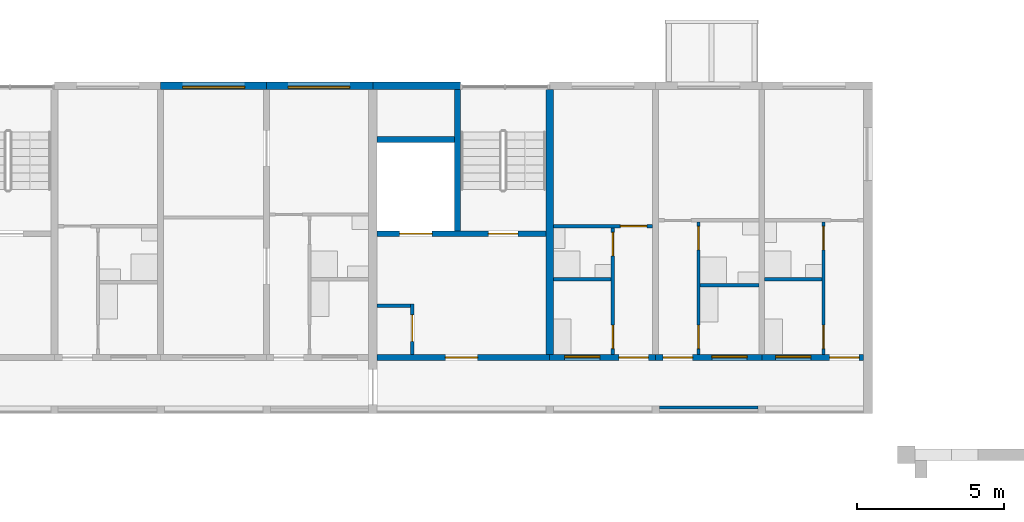
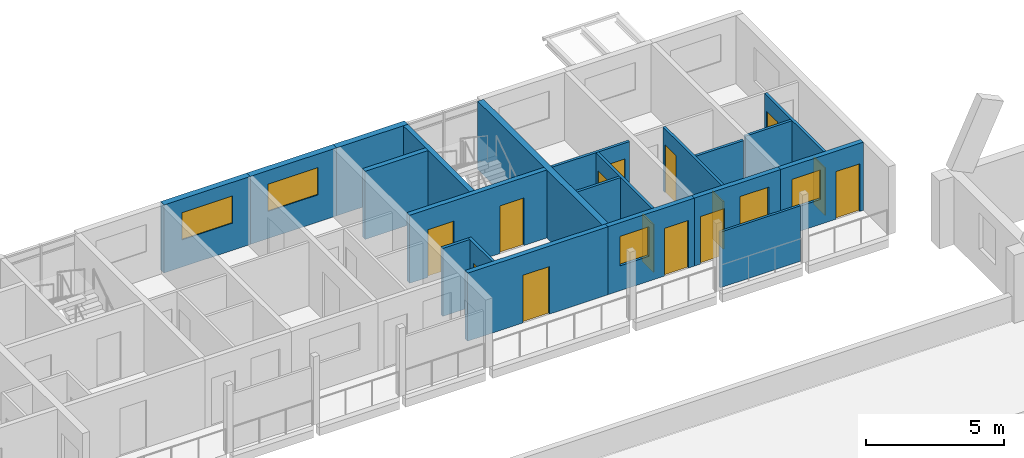
# One storey, part 54 of 115: 21 walls, 14 doors, 5 windows, 19 openings.
"""IFC4 building model written with IfcOpenShell, lengths in metres."""

from ifc_helpers import new_model, si_unit, direction, frame, frame_2d, origin, place, context, subcontext, project, spatial, rectangle, extrude, material, layer, layer_set, type_object, element, fill, save


model = new_model("IFC4")

# Units and contexts
model_context = context("Model", 3, precision=1e-05, world=origin(), true_north=direction((0.0, 1.0)))
body_context = subcontext(model_context, "Body", "Model", "MODEL_VIEW")
ifc_project = project(units=[si_unit("LENGTHUNIT", "METRE"), si_unit("AREAUNIT", "SQUARE_METRE"), si_unit("VOLUMEUNIT", "CUBIC_METRE"), si_unit("PLANEANGLEUNIT", "RADIAN"), si_unit("MASSUNIT", "GRAM", prefix="KILO")], contexts=[model_context])

# Site, building, storey
site_placement = place(None, origin())
site = spatial("IfcSite", under=ifc_project, at=site_placement, CompositionType="ELEMENT")
building_placement = place(site_placement, origin())
building = spatial("IfcBuilding", under=site, at=building_placement, Name="Ridgestep Commons", CompositionType="ELEMENT")
storey_placement = place(building_placement, frame((0.0, 0.0, 6.0)))
storey = spatial("IfcBuildingStorey", under=building, at=storey_placement, Name="L02", CompositionType="ELEMENT", Elevation=6.0)

# Wall
ifc_material_1 = material(Name="Concrete C30/37", Category="concrete")
ifc_layer_1 = layer(ifc_material_1, 0.25)
ifc_layer_set_1 = layer_set([ifc_layer_1], Name="Core cross wall 250")
wall_type_1 = type_object("IfcWallType", Name="Core cross wall 250", PredefinedType="SHEAR", material=ifc_layer_set_1)
wall_1_placement = place(storey_placement, frame((102.0, 68.0, 0.0), z_axis=(0.0, 0.0, 1.0), x_axis=(0.0, 1.0, 0.0)))
element("IfcWall", 1, at=wall_1_placement, inside=storey, type_object=wall_type_1, Name="Cross wall B-02-1020", PredefinedType="SHEAR", context=body_context, shape_type="SweptSolid", body=[
    extrude(rectangle(XDim=9.0, YDim=0.25, at=frame_2d((4.5, 0.0))), origin(), (0.0, 0.0, 1.0), 3.0),
])

# Wall, opening, door
ifc_material_2 = material(Name="Concrete C30/37", Category="concrete")
ifc_layer_2 = layer(ifc_material_2, 0.199951171875)
ifc_layer_set_2 = layer_set([ifc_layer_2], Name="Core south wall 200")
wall_type_2 = type_object("IfcWallType", Name="Core south wall 200", PredefinedType="SHEAR", material=ifc_layer_set_2)
wall_2_placement = place(storey_placement, frame((96.14990234375, 67.89990234375, 0.0), z_axis=(0.0, 0.0, 1.0), x_axis=(1.0, 0.0, 0.0)))
wall_2 = element("IfcWall", 2, at=wall_2_placement, inside=storey, type_object=wall_type_2, Name="Core south wall B6C L02", PredefinedType="SHEAR", context=body_context, shape_type="SweptSolid", body=[
    extrude(rectangle(XDim=5.85009765625, YDim=0.199951171875, at=frame_2d((2.925048828125, 0.0))), origin(), (0.0, 0.0, 1.0), 3.0),
])
opening_1_placement = place(wall_2_placement, frame((2.3125, 0.0, 0.0)))
opening_1 = element("IfcOpeningElement", 3, at=opening_1_placement, cuts=wall_2, Name="Opening B6C/02/1", PredefinedType="OPENING", context=body_context, shape_type="SweptSolid", body=[
    extrude(rectangle(XDim=1.10009765625, YDim=2.10009765625, at=frame_2d((0.550048828125, 1.050048828125))), frame((0.0, 0.10986328125, 0.0), z_axis=(0.0, -1.0, 0.0), x_axis=(1.0, 0.0, 0.0)), (0.0, 0.0, 1.0), 0.219970703125),
])
ifc_material_3 = material(Name="Steel fire door", Category="steel")
door_type_1 = type_object("IfcDoorType", Name="Lobby door 1100 x 2100 FD60", OperationType="NOTDEFINED", PredefinedType="DOOR", material=ifc_material_3)
door_1_placement = place(opening_1_placement, origin())
door_1 = element("IfcDoor", 4, at=door_1_placement, inside=storey, type_object=door_type_1, Name="Lobby door B6C/02/1", OperationType="SINGLE_SWING_LEFT", OverallHeight=2.10009765625, OverallWidth=1.10009765625, PredefinedType="DOOR", context=body_context, shape_type="SweptSolid", body=[
    extrude(rectangle(XDim=1.10009765625, YDim=2.10009765625, at=frame_2d((0.550048828125, 1.050048828125))), frame((0.0, 0.02490234375, 0.0), z_axis=(0.0, -1.0, 0.0), x_axis=(1.0, 0.0, 0.0)), (0.0, 0.0, 1.0), 0.050048828125),
])
fill(opening_1, door_1)

ifc_material_4 = material(Name="Concrete C30/37", Category="concrete")
ifc_layer_3 = layer(ifc_material_4, 0.1201171875)
ifc_layer_set_3 = layer_set([ifc_layer_3], Name="Core wall 120")
wall_type_3 = type_object("IfcWallType", Name="Core wall 120", PredefinedType="SHEAR", material=ifc_layer_set_3)
wall_3_placement = place(storey_placement, frame((97.340087890625, 68.0, 0.0), z_axis=(0.0, 0.0, 1.0), x_axis=(0.0, 1.0, 0.0)))
wall_3 = element("IfcWall", 5, at=wall_3_placement, inside=storey, type_object=wall_type_3, Name="Core riser w wall B6C L02", PredefinedType="SHEAR", context=body_context, shape_type="SweptSolid", body=[
    extrude(rectangle(XDim=1.719970703125, YDim=0.1201171875, at=frame_2d((0.85986328125, 0.0))), origin(), (0.0, 0.0, 1.0), 3.0),
])
opening_2_placement = place(wall_3_placement, frame((0.449951171875, 0.0, 0.0)))
opening_2 = element("IfcOpeningElement", 6, at=opening_2_placement, cuts=wall_3, Name="Opening B6C/02/4", PredefinedType="OPENING", context=body_context, shape_type="SweptSolid", body=[
    extrude(rectangle(XDim=0.89990234375, YDim=2.10009765625, at=frame_2d((0.449951171875, 1.050048828125))), frame((0.0, 0.070068359375, 0.0), z_axis=(0.0, -1.0, 0.0), x_axis=(1.0, 0.0, 0.0)), (0.0, 0.0, 1.0), 0.14013671875),
])
ifc_material_5 = material(Name="Steel fire door", Category="steel")
door_type_2 = type_object("IfcDoorType", Name="Riser door 900 x 2100 FD60", OperationType="NOTDEFINED", PredefinedType="DOOR", material=ifc_material_5)
door_2_placement = place(opening_2_placement, origin())
door_2 = element("IfcDoor", 7, at=door_2_placement, inside=storey, type_object=door_type_2, Name="Riser door B6C/02/4", OperationType="SINGLE_SWING_RIGHT", OverallHeight=2.10009765625, OverallWidth=0.89990234375, PredefinedType="DOOR", context=body_context, shape_type="SweptSolid", body=[
    extrude(rectangle(XDim=0.89990234375, YDim=2.10009765625, at=frame_2d((0.449951171875, 1.050048828125))), frame((0.0, 0.02490234375, 0.0), z_axis=(0.0, -1.0, 0.0), x_axis=(1.0, 0.0, 0.0)), (0.0, 0.0, 1.0), 0.050048828125),
])
fill(opening_2, door_2)

# Wall
wall_4_placement = place(storey_placement, frame((96.14990234375, 69.659912109375, 0.0), z_axis=(0.0, 0.0, 1.0), x_axis=(1.0, 0.0, 0.0)))
element("IfcWall", 8, at=wall_4_placement, inside=storey, type_object=wall_type_3, Name="Core riser n wall B6C L02", PredefinedType="SHEAR", context=body_context, shape_type="SweptSolid", body=[
    extrude(rectangle(XDim=1.130126953125, YDim=0.1201171875, at=frame_2d((0.56494140625, 0.0))), origin(), (0.0, 0.0, 1.0), 3.0),
])

# Wall, openings, doors
ifc_material_6 = material(Name="Concrete C30/37", Category="concrete")
ifc_layer_4 = layer(ifc_material_6, 0.199951171875)
ifc_layer_set_4 = layer_set([ifc_layer_4], Name="Core wall 200")
wall_type_4 = type_object("IfcWallType", Name="Core wall 200", PredefinedType="SHEAR", material=ifc_layer_set_4)
wall_5_placement = place(storey_placement, frame((96.14990234375, 72.10009765625, 0.0), z_axis=(0.0, 0.0, 1.0), x_axis=(1.0, 0.0, 0.0)))
wall_5 = element("IfcWall", 9, at=wall_5_placement, inside=storey, type_object=wall_type_4, Name="Core lobby wall B6C L02", PredefinedType="SHEAR", context=body_context, shape_type="SweptSolid", body=[
    extrude(rectangle(XDim=5.72509765625, YDim=0.199951171875, at=frame_2d((2.862548828125, 0.0))), origin(), (0.0, 0.0, 1.0), 3.0),
])
opening_3_placement = place(wall_5_placement, frame((3.77490234375, 0.0, 0.0)))
opening_3 = element("IfcOpeningElement", 10, at=opening_3_placement, cuts=wall_5, Name="Opening B6C/02/2", PredefinedType="OPENING", context=body_context, shape_type="SweptSolid", body=[
    extrude(rectangle(XDim=1.0, YDim=2.10009765625, at=frame_2d((0.5, 1.050048828125))), frame((0.0, 0.10986328125, 0.0), z_axis=(0.0, -1.0, 0.0), x_axis=(1.0, 0.0, 0.0)), (0.0, 0.0, 1.0), 0.219970703125),
])
opening_4_placement = place(wall_5_placement, frame((0.762451171875, 0.0, 0.0)))
opening_4 = element("IfcOpeningElement", 11, at=opening_4_placement, cuts=wall_5, Name="Opening B6C/02/3", PredefinedType="OPENING", context=body_context, shape_type="SweptSolid", body=[
    extrude(rectangle(XDim=1.10009765625, YDim=2.10009765625, at=frame_2d((0.550048828125, 1.050048828125))), frame((0.0, 0.10986328125, 0.0), z_axis=(0.0, -1.0, 0.0), x_axis=(1.0, 0.0, 0.0)), (0.0, 0.0, 1.0), 0.219970703125),
])
ifc_material_7 = material(Name="Stainless steel", Category="steel")
door_type_3 = type_object("IfcDoorType", Name="Lift landing door 1100 x 2100 FD60", OperationType="DOUBLE_DOOR_SLIDING", PredefinedType="DOOR", material=ifc_material_7)
door_3_placement = place(opening_4_placement, origin())
door_3 = element("IfcDoor", 12, at=door_3_placement, inside=storey, type_object=door_type_3, Name="Landing door LD B6C L02", OperationType="DOUBLE_DOOR_SLIDING", OverallHeight=2.10009765625, OverallWidth=1.10009765625, PredefinedType="DOOR", context=body_context, shape_type="SweptSolid", body=[
    extrude(rectangle(XDim=1.10009765625, YDim=2.10009765625, at=frame_2d((0.550048828125, 1.050048828125))), frame((0.0, 0.02490234375, 0.0), z_axis=(0.0, -1.0, 0.0), x_axis=(1.0, 0.0, 0.0)), (0.0, 0.0, 1.0), 0.050048828125),
])
fill(opening_4, door_3)
ifc_material_8 = material(Name="Steel fire door", Category="steel")
door_type_4 = type_object("IfcDoorType", Name="Stair door 1000 x 2100 FD60", OperationType="NOTDEFINED", PredefinedType="DOOR", material=ifc_material_8)
door_4_placement = place(opening_3_placement, origin())
door_4 = element("IfcDoor", 13, at=door_4_placement, inside=storey, type_object=door_type_4, Name="Stair door B6C/02/2", OperationType="SINGLE_SWING_RIGHT", OverallHeight=2.10009765625, OverallWidth=1.0, PredefinedType="DOOR", context=body_context, shape_type="SweptSolid", body=[
    extrude(rectangle(XDim=1.0, YDim=2.10009765625, at=frame_2d((0.5, 1.050048828125))), frame((0.0, 0.02490234375, 0.0), z_axis=(0.0, -1.0, 0.0), x_axis=(1.0, 0.0, 0.0)), (0.0, 0.0, 1.0), 0.050048828125),
])
fill(opening_3, door_4)

# Walls
wall_6_placement = place(storey_placement, frame((98.875, 72.199951171875, 0.0), z_axis=(0.0, 0.0, 1.0), x_axis=(0.0, 1.0, 0.0)))
element("IfcWall", 14, at=wall_6_placement, inside=storey, type_object=wall_type_4, Name="Core stair wall B6C L02", PredefinedType="SHEAR", context=body_context, shape_type="SweptSolid", body=[
    extrude(rectangle(XDim=4.800048828125, YDim=0.199951171875, at=frame_2d((2.39990234375, 0.0))), origin(), (0.0, 0.0, 1.0), 3.0),
])
wall_7_placement = place(storey_placement, frame((96.14990234375, 75.300048828125, 0.0), z_axis=(0.0, 0.0, 1.0), x_axis=(1.0, 0.0, 0.0)))
element("IfcWall", 15, at=wall_7_placement, inside=storey, type_object=wall_type_4, Name="Core duct wall B6C L02", PredefinedType="SHEAR", context=body_context, shape_type="SweptSolid", body=[
    extrude(rectangle(XDim=2.625, YDim=0.199951171875, at=frame_2d((1.3125, 0.0))), origin(), (0.0, 0.0, 1.0), 3.0),
])

# Wall, opening, window
ifc_material_9 = material(Name="Precast concrete C40/50", Category="concrete")
ifc_layer_5 = layer(ifc_material_9, 0.25)
ifc_layer_set_5 = layer_set([ifc_layer_5], Name="North facade panel 250")
wall_type_5 = type_object("IfcWallType", Name="North facade panel 250", PredefinedType="SOLIDWALL", material=ifc_layer_set_5)
wall_8_placement = place(storey_placement, frame((88.800048828125, 77.125, 0.0), z_axis=(0.0, 0.0, 1.0), x_axis=(1.0, 0.0, 0.0)))
wall_8 = element("IfcWall", 16, at=wall_8_placement, inside=storey, type_object=wall_type_5, Name="North panel B5T2 L02", PredefinedType="SOLIDWALL", context=body_context, shape_type="SweptSolid", body=[
    extrude(rectangle(XDim=3.599853515625, YDim=0.25, at=frame_2d((1.7998046875, 0.0))), origin(), (0.0, 0.0, 1.0), 3.0),
])
opening_5_placement = place(wall_8_placement, frame((0.75, 0.0, 1.199951171875)))
opening_5 = element("IfcOpeningElement", 17, at=opening_5_placement, cuts=wall_8, Name="Opening W22", PredefinedType="OPENING", context=body_context, shape_type="SweptSolid", body=[
    extrude(rectangle(XDim=2.10009765625, YDim=1.199951171875, at=frame_2d((1.050048828125, 0.60009765625))), frame((0.0, 0.135009765625, 0.0), z_axis=(0.0, -1.0, 0.0), x_axis=(1.0, 0.0, 0.0)), (0.0, 0.0, 1.0), 0.27001953125),
])
ifc_material_10 = material(Name="Aluminium 6063-T6 and glass", Category="aluminium")
window_type_1 = type_object("IfcWindowType", Name="Flat window 2100 x 1200", PartitioningType="DOUBLE_PANEL_VERTICAL", PredefinedType="WINDOW", material=ifc_material_10)
window_1_placement = place(opening_5_placement, origin())
window_1 = element("IfcWindow", 18, at=window_1_placement, inside=storey, type_object=window_type_1, Name="Window B5-02a 2", OverallHeight=1.199951171875, OverallWidth=2.10009765625, PartitioningType="SINGLE_PANEL", PredefinedType="WINDOW", context=body_context, shape_type="SweptSolid", body=[
    extrude(rectangle(XDim=2.10009765625, YDim=1.199951171875, at=frame_2d((1.050048828125, 0.60009765625))), frame((0.0, -0.02490234375, 0.0), z_axis=(0.0, -1.0, 0.0), x_axis=(1.0, 0.0, 0.0)), (0.0, 0.0, 1.0), 0.06005859375),
])
fill(opening_5, window_1)

wall_9_placement = place(storey_placement, frame((92.39990234375, 77.125, 0.0), z_axis=(0.0, 0.0, 1.0), x_axis=(1.0, 0.0, 0.0)))
wall_9 = element("IfcWall", 19, at=wall_9_placement, inside=storey, type_object=wall_type_5, Name="North panel B5T1 L02", PredefinedType="SOLIDWALL", context=body_context, shape_type="SweptSolid", body=[
    extrude(rectangle(XDim=3.60009765625, YDim=0.25, at=frame_2d((1.800048828125, 0.0))), origin(), (0.0, 0.0, 1.0), 3.0),
])
opening_6_placement = place(wall_9_placement, frame((0.72509765625, 0.0, 1.199951171875)))
opening_6 = element("IfcOpeningElement", 20, at=opening_6_placement, cuts=wall_9, Name="Opening W22", PredefinedType="OPENING", context=body_context, shape_type="SweptSolid", body=[
    extrude(rectangle(XDim=2.10009765625, YDim=1.199951171875, at=frame_2d((1.050048828125, 0.60009765625))), frame((0.0, 0.135009765625, 0.0), z_axis=(0.0, -1.0, 0.0), x_axis=(1.0, 0.0, 0.0)), (0.0, 0.0, 1.0), 0.27001953125),
])
window_2_placement = place(opening_6_placement, origin())
window_2 = element("IfcWindow", 21, at=window_2_placement, inside=storey, type_object=window_type_1, Name="Window B5-02a 4", OverallHeight=1.199951171875, OverallWidth=2.10009765625, PartitioningType="SINGLE_PANEL", PredefinedType="WINDOW", context=body_context, shape_type="SweptSolid", body=[
    extrude(rectangle(XDim=2.10009765625, YDim=1.199951171875, at=frame_2d((1.050048828125, 0.60009765625))), frame((0.0, -0.02490234375, 0.0), z_axis=(0.0, -1.0, 0.0), x_axis=(1.0, 0.0, 0.0)), (0.0, 0.0, 1.0), 0.06005859375),
])
fill(opening_6, window_2)

# Walls
wall_10_placement = place(storey_placement, frame((96.0, 77.125, 0.0), z_axis=(0.0, 0.0, 1.0), x_axis=(1.0, 0.0, 0.0)))
element("IfcWall", 22, at=wall_10_placement, inside=storey, type_object=wall_type_5, Name="North panel B6C L02", PredefinedType="SOLIDWALL", context=body_context, shape_type="SweptSolid", body=[
    extrude(rectangle(XDim=2.97509765625, YDim=0.25, at=frame_2d((1.487548828125, 0.0))), origin(), (0.0, 0.0, 1.0), 3.0),
])
ifc_material_11 = material(Name="Common brick 110 mm", Category="masonry")
ifc_layer_6 = layer(ifc_material_11, 0.110107421875)
ifc_layer_set_6 = layer_set([ifc_layer_6], Name="Partition 110")
wall_type_6 = type_object("IfcWallType", Name="Partition 110", PredefinedType="PARTITIONING", material=ifc_layer_set_6)
wall_11_placement = place(storey_placement, frame((109.300048828125, 70.554931640625, 0.0), z_axis=(0.0, 0.0, 1.0), x_axis=(1.0, 0.0, 0.0)))
element("IfcWall", 23, at=wall_11_placement, inside=storey, type_object=wall_type_6, Name="Partition B6-02a", PredefinedType="PARTITIONING", context=body_context, shape_type="SweptSolid", body=[
    extrude(rectangle(XDim=1.93994140625, YDim=0.110107421875, at=frame_2d((0.969970703125, 0.0))), origin(), (0.0, 0.0, 1.0), 2.800048828125),
])

# Wall, openings, doors
wall_12_placement = place(storey_placement, frame((111.294921875, 68.0, 0.0), z_axis=(0.0, 0.0, 1.0), x_axis=(0.0, 1.0, 0.0)))
wall_12 = element("IfcWall", 24, at=wall_12_placement, inside=storey, type_object=wall_type_6, Name="Partition B6-02a", PredefinedType="PARTITIONING", context=body_context, shape_type="SweptSolid", body=[
    extrude(rectangle(XDim=4.5, YDim=0.110107421875, at=frame_2d((2.25, 0.0))), origin(), (0.0, 0.0, 1.0), 2.800048828125),
])
opening_7_placement = place(wall_12_placement, frame((0.199951171875, 0.0, 0.0)))
opening_7 = element("IfcOpeningElement", 25, at=opening_7_placement, cuts=wall_12, Name="Opening B6-02a/2", PredefinedType="OPENING", context=body_context, shape_type="SweptSolid", body=[
    extrude(rectangle(XDim=0.800048828125, YDim=2.10009765625, at=frame_2d((0.39990234375, 1.050048828125))), frame((0.0, 0.06494140625, 0.0), z_axis=(0.0, -1.0, 0.0), x_axis=(1.0, 0.0, 0.0)), (0.0, 0.0, 1.0), 0.130126953125),
])
opening_8_placement = place(wall_12_placement, frame((3.550048828125, 0.0, 0.0)))
opening_8 = element("IfcOpeningElement", 26, at=opening_8_placement, cuts=wall_12, Name="Opening B6-02a/3", PredefinedType="OPENING", context=body_context, shape_type="SweptSolid", body=[
    extrude(rectangle(XDim=0.800048828125, YDim=2.10009765625, at=frame_2d((0.39990234375, 1.050048828125))), frame((0.0, 0.06494140625, 0.0), z_axis=(0.0, -1.0, 0.0), x_axis=(1.0, 0.0, 0.0)), (0.0, 0.0, 1.0), 0.130126953125),
])
ifc_material_12 = material(Name="Timber door leaf", Category="wood")
door_type_5 = type_object("IfcDoorType", Name="Internal door 800 x 2100", OperationType="NOTDEFINED", PredefinedType="DOOR", material=ifc_material_12)
door_5_placement = place(opening_7_placement, origin())
door_5 = element("IfcDoor", 27, at=door_5_placement, inside=storey, type_object=door_type_5, Name="Internal door B6-02a/2", OperationType="SINGLE_SWING_LEFT", OverallHeight=2.10009765625, OverallWidth=0.800048828125, PredefinedType="DOOR", context=body_context, shape_type="SweptSolid", body=[
    extrude(rectangle(XDim=0.800048828125, YDim=2.10009765625, at=frame_2d((0.39990234375, 1.050048828125))), frame((0.0, 0.02490234375, 0.0), z_axis=(0.0, -1.0, 0.0), x_axis=(1.0, 0.0, 0.0)), (0.0, 0.0, 1.0), 0.050048828125),
])
fill(opening_7, door_5)
door_6_placement = place(opening_8_placement, origin())
door_6 = element("IfcDoor", 28, at=door_6_placement, inside=storey, type_object=door_type_5, Name="Internal door B6-02a/3", OperationType="SINGLE_SWING_RIGHT", OverallHeight=2.10009765625, OverallWidth=0.800048828125, PredefinedType="DOOR", context=body_context, shape_type="SweptSolid", body=[
    extrude(rectangle(XDim=0.800048828125, YDim=2.10009765625, at=frame_2d((0.39990234375, 1.050048828125))), frame((0.0, 0.02490234375, 0.0), z_axis=(0.0, -1.0, 0.0), x_axis=(1.0, 0.0, 0.0)), (0.0, 0.0, 1.0), 0.050048828125),
])
fill(opening_8, door_6)

wall_13_placement = place(storey_placement, frame((107.054931640625, 68.0, 0.0), z_axis=(0.0, 0.0, 1.0), x_axis=(0.0, 1.0, 0.0)))
wall_13 = element("IfcWall", 29, at=wall_13_placement, inside=storey, type_object=wall_type_6, Name="Partition B6-02b", PredefinedType="PARTITIONING", context=body_context, shape_type="SweptSolid", body=[
    extrude(rectangle(XDim=4.5, YDim=0.110107421875, at=frame_2d((2.25, 0.0))), origin(), (0.0, 0.0, 1.0), 2.800048828125),
])
opening_9_placement = place(wall_13_placement, frame((0.199951171875, 0.0, 0.0)))
opening_9 = element("IfcOpeningElement", 30, at=opening_9_placement, cuts=wall_13, Name="Opening B6-02b/2", PredefinedType="OPENING", context=body_context, shape_type="SweptSolid", body=[
    extrude(rectangle(XDim=0.800048828125, YDim=2.10009765625, at=frame_2d((0.39990234375, 1.050048828125))), frame((0.0, 0.06494140625, 0.0), z_axis=(0.0, -1.0, 0.0), x_axis=(1.0, 0.0, 0.0)), (0.0, 0.0, 1.0), 0.130126953125),
])
opening_10_placement = place(wall_13_placement, frame((3.550048828125, 0.0, 0.0)))
opening_10 = element("IfcOpeningElement", 31, at=opening_10_placement, cuts=wall_13, Name="Opening B6-02b/3", PredefinedType="OPENING", context=body_context, shape_type="SweptSolid", body=[
    extrude(rectangle(XDim=0.800048828125, YDim=2.10009765625, at=frame_2d((0.39990234375, 1.050048828125))), frame((0.0, 0.06494140625, 0.0), z_axis=(0.0, -1.0, 0.0), x_axis=(1.0, 0.0, 0.0)), (0.0, 0.0, 1.0), 0.130126953125),
])
door_7_placement = place(opening_9_placement, origin())
door_7 = element("IfcDoor", 32, at=door_7_placement, inside=storey, type_object=door_type_5, Name="Internal door B6-02b/2", OperationType="SINGLE_SWING_RIGHT", OverallHeight=2.10009765625, OverallWidth=0.800048828125, PredefinedType="DOOR", context=body_context, shape_type="SweptSolid", body=[
    extrude(rectangle(XDim=0.800048828125, YDim=2.10009765625, at=frame_2d((0.39990234375, 1.050048828125))), frame((0.0, 0.02490234375, 0.0), z_axis=(0.0, -1.0, 0.0), x_axis=(1.0, 0.0, 0.0)), (0.0, 0.0, 1.0), 0.050048828125),
])
fill(opening_9, door_7)
door_8_placement = place(opening_10_placement, origin())
door_8 = element("IfcDoor", 33, at=door_8_placement, inside=storey, type_object=door_type_5, Name="Internal door B6-02b/3", OperationType="SINGLE_SWING_LEFT", OverallHeight=2.10009765625, OverallWidth=0.800048828125, PredefinedType="DOOR", context=body_context, shape_type="SweptSolid", body=[
    extrude(rectangle(XDim=0.800048828125, YDim=2.10009765625, at=frame_2d((0.39990234375, 1.050048828125))), frame((0.0, 0.02490234375, 0.0), z_axis=(0.0, -1.0, 0.0), x_axis=(1.0, 0.0, 0.0)), (0.0, 0.0, 1.0), 0.050048828125),
])
fill(opening_10, door_8)

# Walls
wall_14_placement = place(storey_placement, frame((107.110107421875, 70.35498046875, 0.0), z_axis=(0.0, 0.0, 1.0), x_axis=(1.0, 0.0, 0.0)))
element("IfcWall", 34, at=wall_14_placement, inside=storey, type_object=wall_type_6, Name="Partition B6-02b", PredefinedType="PARTITIONING", context=body_context, shape_type="SweptSolid", body=[
    extrude(rectangle(XDim=1.989990234375, YDim=0.110107421875, at=frame_2d((0.9951171875, 0.0))), origin(), (0.0, 0.0, 1.0), 2.800048828125),
])
wall_15_placement = place(storey_placement, frame((102.125, 70.554931640625, 0.0), z_axis=(0.0, 0.0, 1.0), x_axis=(1.0, 0.0, 0.0)))
element("IfcWall", 35, at=wall_15_placement, inside=storey, type_object=wall_type_6, Name="Partition B6-02c", PredefinedType="PARTITIONING", context=body_context, shape_type="SweptSolid", body=[
    extrude(rectangle(XDim=1.965087890625, YDim=0.110107421875, at=frame_2d((0.982421875, 0.0))), origin(), (0.0, 0.0, 1.0), 2.800048828125),
])

# Wall, openings, doors
wall_16_placement = place(storey_placement, frame((104.14501953125, 68.0, 0.0), z_axis=(0.0, 0.0, 1.0), x_axis=(0.0, 1.0, 0.0)))
wall_16 = element("IfcWall", 36, at=wall_16_placement, inside=storey, type_object=wall_type_6, Name="Partition B6-02c", PredefinedType="PARTITIONING", context=body_context, shape_type="SweptSolid", body=[
    extrude(rectangle(XDim=4.300048828125, YDim=0.110107421875, at=frame_2d((2.14990234375, 0.0))), origin(), (0.0, 0.0, 1.0), 2.800048828125),
])
opening_11_placement = place(wall_16_placement, frame((0.199951171875, 0.0, 0.0)))
opening_11 = element("IfcOpeningElement", 37, at=opening_11_placement, cuts=wall_16, Name="Opening B6-02c/2", PredefinedType="OPENING", context=body_context, shape_type="SweptSolid", body=[
    extrude(rectangle(XDim=0.800048828125, YDim=2.10009765625, at=frame_2d((0.39990234375, 1.050048828125))), frame((0.0, 0.06494140625, 0.0), z_axis=(0.0, -1.0, 0.0), x_axis=(1.0, 0.0, 0.0)), (0.0, 0.0, 1.0), 0.130126953125),
])
opening_12_placement = place(wall_16_placement, frame((3.35009765625, 0.0, 0.0)))
opening_12 = element("IfcOpeningElement", 38, at=opening_12_placement, cuts=wall_16, Name="Opening B6-02c/3", PredefinedType="OPENING", context=body_context, shape_type="SweptSolid", body=[
    extrude(rectangle(XDim=0.800048828125, YDim=2.10009765625, at=frame_2d((0.39990234375, 1.050048828125))), frame((0.0, 0.06494140625, 0.0), z_axis=(0.0, -1.0, 0.0), x_axis=(1.0, 0.0, 0.0)), (0.0, 0.0, 1.0), 0.130126953125),
])
door_9_placement = place(opening_11_placement, origin())
door_9 = element("IfcDoor", 39, at=door_9_placement, inside=storey, type_object=door_type_5, Name="Internal door B6-02c/2", OperationType="SINGLE_SWING_LEFT", OverallHeight=2.10009765625, OverallWidth=0.800048828125, PredefinedType="DOOR", context=body_context, shape_type="SweptSolid", body=[
    extrude(rectangle(XDim=0.800048828125, YDim=2.10009765625, at=frame_2d((0.39990234375, 1.050048828125))), frame((0.0, 0.02490234375, 0.0), z_axis=(0.0, -1.0, 0.0), x_axis=(1.0, 0.0, 0.0)), (0.0, 0.0, 1.0), 0.050048828125),
])
fill(opening_11, door_9)
door_10_placement = place(opening_12_placement, origin())
door_10 = element("IfcDoor", 40, at=door_10_placement, inside=storey, type_object=door_type_5, Name="Internal door B6-02c/3", OperationType="SINGLE_SWING_RIGHT", OverallHeight=2.10009765625, OverallWidth=0.800048828125, PredefinedType="DOOR", context=body_context, shape_type="SweptSolid", body=[
    extrude(rectangle(XDim=0.800048828125, YDim=2.10009765625, at=frame_2d((0.39990234375, 1.050048828125))), frame((0.0, 0.02490234375, 0.0), z_axis=(0.0, -1.0, 0.0), x_axis=(1.0, 0.0, 0.0)), (0.0, 0.0, 1.0), 0.050048828125),
])
fill(opening_12, door_10)

# Wall, opening, door
wall_17_placement = place(storey_placement, frame((102.125, 72.35498046875, 0.0), z_axis=(0.0, 0.0, 1.0), x_axis=(1.0, 0.0, 0.0)))
wall_17 = element("IfcWall", 41, at=wall_17_placement, inside=storey, type_object=wall_type_6, Name="Partition B6-02c", PredefinedType="PARTITIONING", context=body_context, shape_type="SweptSolid", body=[
    extrude(rectangle(XDim=3.375, YDim=0.110107421875, at=frame_2d((1.6875, 0.0))), origin(), (0.0, 0.0, 1.0), 2.800048828125),
])
opening_13_placement = place(wall_17_placement, frame((2.27490234375, 0.0, 0.0)))
opening_13 = element("IfcOpeningElement", 42, at=opening_13_placement, cuts=wall_17, Name="Opening B6-02c/4", PredefinedType="OPENING", context=body_context, shape_type="SweptSolid", body=[
    extrude(rectangle(XDim=0.89990234375, YDim=2.10009765625, at=frame_2d((0.449951171875, 1.050048828125))), frame((0.0, 0.06494140625, 0.0), z_axis=(0.0, -1.0, 0.0), x_axis=(1.0, 0.0, 0.0)), (0.0, 0.0, 1.0), 0.130126953125),
])
ifc_material_13 = material(Name="Timber door leaf", Category="wood")
door_type_6 = type_object("IfcDoorType", Name="Internal door 900 x 2100", OperationType="NOTDEFINED", PredefinedType="DOOR", material=ifc_material_13)
door_11_placement = place(opening_13_placement, origin())
door_11 = element("IfcDoor", 43, at=door_11_placement, inside=storey, type_object=door_type_6, Name="Internal door B6-02c/4", OperationType="SINGLE_SWING_LEFT", OverallHeight=2.10009765625, OverallWidth=0.89990234375, PredefinedType="DOOR", context=body_context, shape_type="SweptSolid", body=[
    extrude(rectangle(XDim=0.89990234375, YDim=2.10009765625, at=frame_2d((0.449951171875, 1.050048828125))), frame((0.0, 0.02490234375, 0.0), z_axis=(0.0, -1.0, 0.0), x_axis=(1.0, 0.0, 0.0)), (0.0, 0.0, 1.0), 0.050048828125),
])
fill(opening_13, door_11)

# Wall
ifc_material_14 = material(Name="Precast concrete C30/37", Category="concrete")
ifc_layer_7 = layer(ifc_material_14, 0.10009765625)
ifc_layer_set_7 = layer_set([ifc_layer_7], Name="Perforated gallery screen 3350 x 2450 x 100")
wall_type_7 = type_object("IfcWallType", Name="Perforated gallery screen 3350 x 2450 x 100", PredefinedType="SOLIDWALL", material=ifc_layer_set_7)
wall_18_placement = place(storey_placement, frame((105.72509765625, 66.199951171875, 0.0), z_axis=(0.0, 0.0, 1.0), x_axis=(1.0, 0.0, 0.0)))
element("IfcWall", 44, at=wall_18_placement, inside=storey, type_object=wall_type_7, Name="Gallery screen B6T2 02", PredefinedType="SOLIDWALL", context=body_context, shape_type="SweptSolid", body=[
    extrude(rectangle(XDim=3.349853515625, YDim=0.10009765625, at=frame_2d((1.6748046875, 0.0))), origin(), (0.0, 0.0, 1.0), 2.449951171875),
])

# Wall, openings, door, window
ifc_material_15 = material(Name="Precast concrete C40/50", Category="concrete")
ifc_layer_8 = layer(ifc_material_15, 0.199951171875)
ifc_layer_set_8 = layer_set([ifc_layer_8], Name="South facade panel 200")
wall_type_8 = type_object("IfcWallType", Name="South facade panel 200", PredefinedType="SOLIDWALL", material=ifc_layer_set_8)
wall_19_placement = place(storey_placement, frame((102.0, 67.89990234375, 0.0), z_axis=(0.0, 0.0, 1.0), x_axis=(1.0, 0.0, 0.0)))
wall_19 = element("IfcWall", 45, at=wall_19_placement, inside=storey, type_object=wall_type_8, Name="South panel B6T3 L02", PredefinedType="SOLIDWALL", context=body_context, shape_type="SweptSolid", body=[
    extrude(rectangle(XDim=3.60009765625, YDim=0.199951171875, at=frame_2d((1.800048828125, 0.0))), origin(), (0.0, 0.0, 1.0), 3.0),
])
opening_14_placement = place(wall_19_placement, frame((0.507568359375, 0.0, 1.10009765625)))
opening_14 = element("IfcOpeningElement", 46, at=opening_14_placement, cuts=wall_19, Name="Opening W08", PredefinedType="OPENING", context=body_context, shape_type="SweptSolid", body=[
    extrude(rectangle(XDim=1.199951171875, YDim=1.300048828125, at=frame_2d((0.60009765625, 0.64990234375))), frame((0.0, 0.10986328125, 0.0), z_axis=(0.0, -1.0, 0.0), x_axis=(1.0, 0.0, 0.0)), (0.0, 0.0, 1.0), 0.219970703125),
])
opening_15_placement = place(wall_19_placement, frame((2.35009765625, 0.0, 0.0)))
opening_15 = element("IfcOpeningElement", 47, at=opening_15_placement, cuts=wall_19, Name="Opening B6-02c/1", PredefinedType="OPENING", context=body_context, shape_type="SweptSolid", body=[
    extrude(rectangle(XDim=1.0, YDim=2.10009765625, at=frame_2d((0.5, 1.050048828125))), frame((0.0, 0.10986328125, 0.0), z_axis=(0.0, -1.0, 0.0), x_axis=(1.0, 0.0, 0.0)), (0.0, 0.0, 1.0), 0.219970703125),
])
ifc_material_16 = material(Name="Timber door leaf", Category="wood")
door_type_7 = type_object("IfcDoorType", Name="Flat entrance door 1000 x 2100 FD30S", OperationType="NOTDEFINED", PredefinedType="DOOR", material=ifc_material_16)
door_12_placement = place(opening_15_placement, origin())
door_12 = element("IfcDoor", 48, at=door_12_placement, inside=storey, type_object=door_type_7, Name="Flat entrance door B6-02c/1", OperationType="SINGLE_SWING_RIGHT", OverallHeight=2.10009765625, OverallWidth=1.0, PredefinedType="DOOR", context=body_context, shape_type="SweptSolid", body=[
    extrude(rectangle(XDim=1.0, YDim=2.10009765625, at=frame_2d((0.5, 1.050048828125))), frame((0.0, 0.02490234375, 0.0), z_axis=(0.0, -1.0, 0.0), x_axis=(1.0, 0.0, 0.0)), (0.0, 0.0, 1.0), 0.050048828125),
])
fill(opening_15, door_12)
ifc_material_17 = material(Name="Aluminium 6063-T6 and glass", Category="aluminium")
window_type_2 = type_object("IfcWindowType", Name="Flat window 1200 x 1300", PartitioningType="SINGLE_PANEL", PredefinedType="WINDOW", material=ifc_material_17)
window_3_placement = place(opening_14_placement, origin())
window_3 = element("IfcWindow", 49, at=window_3_placement, inside=storey, type_object=window_type_2, Name="Window B6-02c 1", OverallHeight=1.300048828125, OverallWidth=1.199951171875, PartitioningType="SINGLE_PANEL", PredefinedType="WINDOW", context=body_context, shape_type="SweptSolid", body=[
    extrude(rectangle(XDim=1.199951171875, YDim=1.300048828125, at=frame_2d((0.60009765625, 0.64990234375))), frame((0.0, 0.06005859375, 0.0), z_axis=(0.0, -1.0, 0.0), x_axis=(1.0, 0.0, 0.0)), (0.0, 0.0, 1.0), 0.06005859375),
])
fill(opening_14, window_3)

wall_20_placement = place(storey_placement, frame((105.60009765625, 67.89990234375, 0.0), z_axis=(0.0, 0.0, 1.0), x_axis=(1.0, 0.0, 0.0)))
wall_20 = element("IfcWall", 50, at=wall_20_placement, inside=storey, type_object=wall_type_8, Name="South panel B6T2 L02", PredefinedType="SOLIDWALL", context=body_context, shape_type="SweptSolid", body=[
    extrude(rectangle(XDim=3.599853515625, YDim=0.199951171875, at=frame_2d((1.7998046875, 0.0))), origin(), (0.0, 0.0, 1.0), 3.0),
])
opening_16_placement = place(wall_20_placement, frame((1.905029296875, 0.0, 1.10009765625)))
opening_16 = element("IfcOpeningElement", 51, at=opening_16_placement, cuts=wall_20, Name="Opening W08", PredefinedType="OPENING", context=body_context, shape_type="SweptSolid", body=[
    extrude(rectangle(XDim=1.199951171875, YDim=1.300048828125, at=frame_2d((0.60009765625, 0.64990234375))), frame((0.0, 0.10986328125, 0.0), z_axis=(0.0, -1.0, 0.0), x_axis=(1.0, 0.0, 0.0)), (0.0, 0.0, 1.0), 0.219970703125),
])
opening_17_placement = place(wall_20_placement, frame((0.25, 0.0, 0.0)))
opening_17 = element("IfcOpeningElement", 52, at=opening_17_placement, cuts=wall_20, Name="Opening B6-02b/1", PredefinedType="OPENING", context=body_context, shape_type="SweptSolid", body=[
    extrude(rectangle(XDim=1.0, YDim=2.10009765625, at=frame_2d((0.5, 1.050048828125))), frame((0.0, 0.10986328125, 0.0), z_axis=(0.0, -1.0, 0.0), x_axis=(1.0, 0.0, 0.0)), (0.0, 0.0, 1.0), 0.219970703125),
])
door_13_placement = place(opening_17_placement, origin())
door_13 = element("IfcDoor", 53, at=door_13_placement, inside=storey, type_object=door_type_7, Name="Flat entrance door B6-02b/1", OperationType="SINGLE_SWING_LEFT", OverallHeight=2.10009765625, OverallWidth=1.0, PredefinedType="DOOR", context=body_context, shape_type="SweptSolid", body=[
    extrude(rectangle(XDim=1.0, YDim=2.10009765625, at=frame_2d((0.5, 1.050048828125))), frame((0.0, 0.02490234375, 0.0), z_axis=(0.0, -1.0, 0.0), x_axis=(1.0, 0.0, 0.0)), (0.0, 0.0, 1.0), 0.050048828125),
])
fill(opening_17, door_13)
window_4_placement = place(opening_16_placement, origin())
window_4 = element("IfcWindow", 54, at=window_4_placement, inside=storey, type_object=window_type_2, Name="Window B6-02b 1", OverallHeight=1.300048828125, OverallWidth=1.199951171875, PartitioningType="SINGLE_PANEL", PredefinedType="WINDOW", context=body_context, shape_type="SweptSolid", body=[
    extrude(rectangle(XDim=1.199951171875, YDim=1.300048828125, at=frame_2d((0.60009765625, 0.64990234375))), frame((0.0, 0.06005859375, 0.0), z_axis=(0.0, -1.0, 0.0), x_axis=(1.0, 0.0, 0.0)), (0.0, 0.0, 1.0), 0.06005859375),
])
fill(opening_16, window_4)

wall_21_placement = place(storey_placement, frame((109.199951171875, 67.89990234375, 0.0), z_axis=(0.0, 0.0, 1.0), x_axis=(1.0, 0.0, 0.0)))
wall_21 = element("IfcWall", 55, at=wall_21_placement, inside=storey, type_object=wall_type_8, Name="South panel B6T1 L02", PredefinedType="SOLIDWALL", context=body_context, shape_type="SweptSolid", body=[
    extrude(rectangle(XDim=3.449951171875, YDim=0.199951171875, at=frame_2d((1.72509765625, 0.0))), origin(), (0.0, 0.0, 1.0), 3.0),
])
opening_18_placement = place(wall_21_placement, frame((0.469970703125, 0.0, 1.10009765625)))
opening_18 = element("IfcOpeningElement", 56, at=opening_18_placement, cuts=wall_21, Name="Opening W08", PredefinedType="OPENING", context=body_context, shape_type="SweptSolid", body=[
    extrude(rectangle(XDim=1.199951171875, YDim=1.300048828125, at=frame_2d((0.60009765625, 0.64990234375))), frame((0.0, 0.10986328125, 0.0), z_axis=(0.0, -1.0, 0.0), x_axis=(1.0, 0.0, 0.0)), (0.0, 0.0, 1.0), 0.219970703125),
])
opening_19_placement = place(wall_21_placement, frame((2.300048828125, 0.0, 0.0)))
opening_19 = element("IfcOpeningElement", 57, at=opening_19_placement, cuts=wall_21, Name="Opening B6-02a/1", PredefinedType="OPENING", context=body_context, shape_type="SweptSolid", body=[
    extrude(rectangle(XDim=1.0, YDim=2.10009765625, at=frame_2d((0.5, 1.050048828125))), frame((0.0, 0.10986328125, 0.0), z_axis=(0.0, -1.0, 0.0), x_axis=(1.0, 0.0, 0.0)), (0.0, 0.0, 1.0), 0.219970703125),
])
door_14_placement = place(opening_19_placement, origin())
door_14 = element("IfcDoor", 58, at=door_14_placement, inside=storey, type_object=door_type_7, Name="Flat entrance door B6-02a/1", OperationType="SINGLE_SWING_RIGHT", OverallHeight=2.10009765625, OverallWidth=1.0, PredefinedType="DOOR", context=body_context, shape_type="SweptSolid", body=[
    extrude(rectangle(XDim=1.0, YDim=2.10009765625, at=frame_2d((0.5, 1.050048828125))), frame((0.0, 0.02490234375, 0.0), z_axis=(0.0, -1.0, 0.0), x_axis=(1.0, 0.0, 0.0)), (0.0, 0.0, 1.0), 0.050048828125),
])
fill(opening_19, door_14)
window_5_placement = place(opening_18_placement, origin())
window_5 = element("IfcWindow", 59, at=window_5_placement, inside=storey, type_object=window_type_2, Name="Window B6-02a 1", OverallHeight=1.300048828125, OverallWidth=1.199951171875, PartitioningType="SINGLE_PANEL", PredefinedType="WINDOW", context=body_context, shape_type="SweptSolid", body=[
    extrude(rectangle(XDim=1.199951171875, YDim=1.300048828125, at=frame_2d((0.60009765625, 0.64990234375))), frame((0.0, 0.06005859375, 0.0), z_axis=(0.0, -1.0, 0.0), x_axis=(1.0, 0.0, 0.0)), (0.0, 0.0, 1.0), 0.06005859375),
])
fill(opening_18, window_5)

save(model, "model.ifc")
